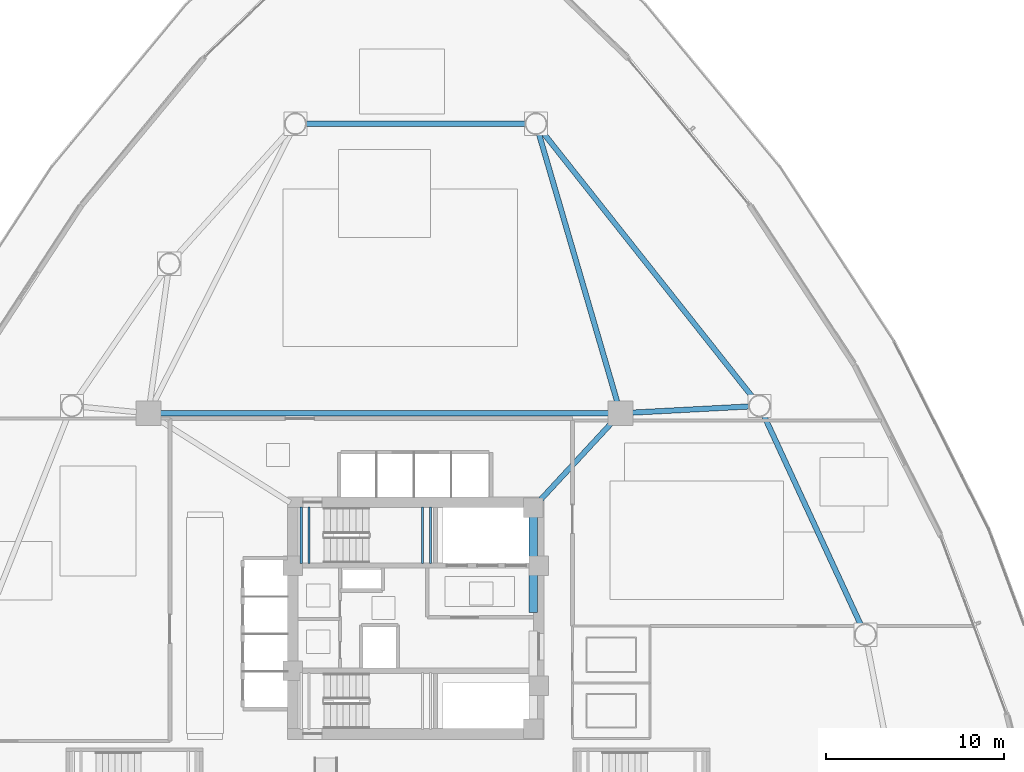
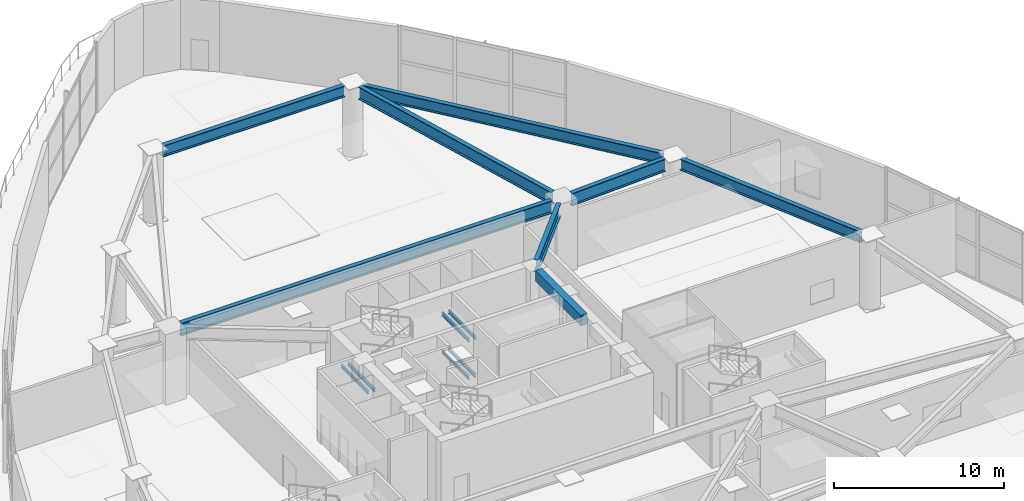
# One storey, part 7 of 25: 14 beams.
"""IFC4 building model written with IfcOpenShell, lengths in metres."""

from ifc_helpers import new_model, si_unit, direction, frame, origin, origin_2d, place, context, subcontext, project, spatial, rectangle, i_section, extrude, material, material_profile, profile_set, type_object, element, save


model = new_model("IFC4")

# Units and contexts
model_context = context("Model", 3, precision=1e-05, world=origin(), true_north=direction((0.0, 1.0)))
body_context = subcontext(model_context, "Body", "Model", "MODEL_VIEW")
ifc_project = project(units=[si_unit("LENGTHUNIT", "METRE"), si_unit("AREAUNIT", "SQUARE_METRE"), si_unit("VOLUMEUNIT", "CUBIC_METRE"), si_unit("PLANEANGLEUNIT", "RADIAN"), si_unit("MASSUNIT", "GRAM", prefix="KILO")], contexts=[model_context])

# Site, building, storey
site_placement = place(None, origin())
site = spatial("IfcSite", under=ifc_project, at=site_placement, CompositionType="ELEMENT")
building_placement = place(site_placement, origin())
building = spatial("IfcBuilding", under=site, at=building_placement, Name="Tavelor Broadcast Tower", CompositionType="ELEMENT")
storey_placement = place(building_placement, frame((0.0, 0.0, 11.39990234375)))
storey = spatial("IfcBuildingStorey", under=building, at=storey_placement, Name="L02", CompositionType="ELEMENT", Elevation=11.39990234375)

# Beams
ifc_material_1 = material(Name="Concrete C40/50", Category="concrete")
ifc_material_profile_1 = material_profile(ifc_material_1, rectangle(XDim=0.449951171875, YDim=0.75, at=origin_2d()), Name="RC 450x750")
ifc_profile_set_1 = profile_set([ifc_material_profile_1], Name="Concrete C40/50")
beam_type_1 = type_object("IfcBeamType", Name="Basement Core Trim Beam 450x750", PredefinedType="BEAM", material=ifc_profile_set_1)
beam_1_placement = place(storey_placement, frame((56.60009765625, 45.327880859375, 4.675048828125), z_axis=(0.0, 1.0, 0.0), x_axis=(-1.0, 0.0, 0.0)))
element("IfcBeam", 1, at=beam_1_placement, inside=storey, type_object=beam_type_1, Name="L02 Core East-N Tie Girder", PredefinedType="BEAM", context=body_context, shape_type="SweptSolid", body=[
    extrude(rectangle(XDim=0.449951171875, YDim=0.75, at=origin_2d()), origin(), (0.0, 0.0, 1.0), 5.34423828125),
])
ifc_material_2 = material(Name="Steel S355", Category="steel")
ifc_material_profile_2 = material_profile(ifc_material_2, i_section(OverallWidth=0.300048828125, OverallDepth=0.800048828125, WebThickness=0.017578125, FlangeThickness=0.032958984375, at=origin_2d()), Name="HEB 800")
ifc_profile_set_2 = profile_set([ifc_material_profile_2], Name="Steel S355")
beam_type_2 = type_object("IfcBeamType", Name="Podium Spandrel Beam HEB800", PredefinedType="SPANDREL", material=ifc_profile_set_2)
beam_2_placement = place(storey_placement, frame((74.997802734375, 44.596435546875, 4.650146484375), z_axis=(-0.419873312524, 0.90758272429, 0.0), x_axis=(-0.90758272429, -0.419873312524, 0.0)))
element("IfcBeam", 2, at=beam_2_placement, inside=storey, type_object=beam_type_2, Name="L02 Podium Spandrel Girder 10", PredefinedType="SPANDREL", context=body_context, shape_type="SweptSolid", body=[
    extrude(i_section(OverallWidth=0.300048828125, OverallDepth=0.800048828125, WebThickness=0.017578125, FlangeThickness=0.032958984375, at=origin_2d()), origin(), (0.0, 0.0, 1.0), 12.98876953125),
])
beam_3_placement = place(storey_placement, frame((68.940673828125, 57.36572265625, 4.650146484375), z_axis=(-0.620945854653, 0.783853459257, 0.0), x_axis=(-0.783853459257, -0.620945854653, 0.0)))
element("IfcBeam", 3, at=beam_3_placement, inside=storey, type_object=beam_type_2, Name="L02 Podium Spandrel Girder 11", PredefinedType="SPANDREL", context=body_context, shape_type="SweptSolid", body=[
    extrude(i_section(OverallWidth=0.300048828125, OverallDepth=0.800048828125, WebThickness=0.017578125, FlangeThickness=0.032958984375, at=origin_2d()), origin(), (0.0, 0.0, 1.0), 19.0478515625),
])
beam_4_placement = place(storey_placement, frame((56.1728515625, 72.7509765625, 4.650146484375), z_axis=(-1.0, 0.0, 0.0), x_axis=(0.0, -1.0, 0.0)))
element("IfcBeam", 4, at=beam_4_placement, inside=storey, type_object=beam_type_2, Name="L02 Podium Spandrel Girder 12", PredefinedType="SPANDREL", context=body_context, shape_type="SweptSolid", body=[
    extrude(i_section(OverallWidth=0.300048828125, OverallDepth=0.800048828125, WebThickness=0.017578125, FlangeThickness=0.032958984375, at=origin_2d()), origin(), (0.0, 0.0, 1.0), 12.345703125),
])
ifc_material_profile_3 = material_profile(ifc_material_2, i_section(OverallWidth=0.1201171875, OverallDepth=0.239990234375, WebThickness=0.006103515625, FlangeThickness=0.009765625, at=origin_2d()), Name="IPE 240")
ifc_profile_set_3 = profile_set([ifc_material_profile_3], Name="Steel S355")
beam_type_3 = type_object("IfcBeamType", Name="Stairwell Landing Support Trimmer Beam IPE240", PredefinedType="BEAM", material=ifc_profile_set_3)
for number, where, z_axis, x_axis, name in (
    (5, (50.385009765625, 48.06005859375, 1.03515625), (0.0, 1.0, 0.0), (-1.0, 0.0, 0.0), "L02 Stair Landing Support Beam 17"),
    (6, (50.824951171875, 48.06005859375, 1.03515625), (0.0, 1.0, 0.0), (-1.0, 0.0, 0.0), "L02 Stair Landing Support Beam 18"),
    (7, (43.574951171875, 48.06005859375, 2.385009765625), (0.0, 1.0, 0.0), (-1.0, 0.0, 0.0), "L02 Stair Landing Support Beam 19"),
    (8, (44.014892578125, 48.06005859375, 2.385009765625), (0.0, 1.0, 0.0), (-1.0, 0.0, 0.0), "L02 Stair Landing Support Beam 20"),
    (9, (50.385009765625, 48.06005859375, 3.735107421875), (0.0, 1.0, 0.0), (-1.0, 0.0, 0.0), "L02 Stair Landing Support Beam 21"),
    (10, (50.824951171875, 48.06005859375, 3.735107421875), (0.0, 1.0, 0.0), (-1.0, 0.0, 0.0), "L02 Stair Landing Support Beam 22"),
):
    element("IfcBeam", number, at=place(storey_placement, frame(where, z_axis=z_axis, x_axis=x_axis)), inside=storey, type_object=beam_type_3, Name=name, PredefinedType="BEAM", context=body_context, shape_type="SweptSolid", body=[
        extrude(i_section(OverallWidth=0.1201171875, OverallDepth=0.239990234375, WebThickness=0.006103515625, FlangeThickness=0.009765625, at=origin_2d()), origin(), (0.0, 0.0, 1.0), 3.179931640625),
    ])
ifc_material_3 = material(Name="Steel S460", Category="steel")
ifc_material_profile_4 = material_profile(ifc_material_3, i_section(OverallWidth=0.300048828125, OverallDepth=0.89990234375, WebThickness=0.0185546875, FlangeThickness=0.034912109375, at=origin_2d()), Name="HEB 900")
ifc_profile_set_4 = profile_set([ifc_material_profile_4], Name="Steel S460")
beam_type_4 = type_object("IfcBeamType", Name="Studio Long-Span Girder HEB900", PredefinedType="BEAM", material=ifc_profile_set_4)
beam_5_placement = place(storey_placement, frame((60.820068359375, 56.5, 4.60009765625), z_axis=(-1.0, 0.0, 0.0), x_axis=(0.0, -1.0, 0.0)))
element("IfcBeam", 11, at=beam_5_placement, inside=storey, type_object=beam_type_4, Name="L02 Studio Ring Girder 3", PredefinedType="BEAM", context=body_context, shape_type="SweptSolid", body=[
    extrude(i_section(OverallWidth=0.300048828125, OverallDepth=0.89990234375, WebThickness=0.0185546875, FlangeThickness=0.034912109375, at=origin_2d()), origin(), (0.0, 0.0, 1.0), 25.14013671875),
])
beam_6_placement = place(storey_placement, frame((61.038330078125, 56.000732421875, 4.60009765625), z_axis=(-0.678838365395, -0.734287732205, 0.0), x_axis=(0.734287732205, -0.678838365395, 0.0)))
element("IfcBeam", 12, at=beam_6_placement, inside=storey, type_object=beam_type_4, Name="L02 Core Tie Girder 3", PredefinedType="BEAM", context=body_context, shape_type="SweptSolid", body=[
    extrude(i_section(OverallWidth=0.300048828125, OverallDepth=0.89990234375, WebThickness=0.0185546875, FlangeThickness=0.034912109375, at=origin_2d()), origin(), (0.0, 0.0, 1.0), 6.010009765625),
])
beam_7_placement = place(storey_placement, frame((62.17919921875, 56.535888671875, 4.60009765625), z_axis=(0.998614739388, 0.052617509218, 0.0), x_axis=(-0.052617509218, 0.998614739388, 0.0)))
element("IfcBeam", 13, at=beam_7_placement, inside=storey, type_object=beam_type_4, Name="L02 Clear-Span Studio Girder 11", PredefinedType="BEAM", context=body_context, shape_type="SweptSolid", body=[
    extrude(i_section(OverallWidth=0.300048828125, OverallDepth=0.89990234375, WebThickness=0.0185546875, FlangeThickness=0.034912109375, at=origin_2d()), origin(), (0.0, 0.0, 1.0), 6.551513671875),
])
beam_8_placement = place(storey_placement, frame((61.309326171875, 57.152587890625, 4.60009765625), z_axis=(-0.280403801571, 0.959882132381, 0.0), x_axis=(-0.959882132381, -0.280403801571, 0.0)))
element("IfcBeam", 14, at=beam_8_placement, inside=storey, type_object=beam_type_4, Name="L02 Clear-Span Studio Girder 12", PredefinedType="BEAM", context=body_context, shape_type="SweptSolid", body=[
    extrude(i_section(OverallWidth=0.300048828125, OverallDepth=0.89990234375, WebThickness=0.0185546875, FlangeThickness=0.034912109375, at=origin_2d()), origin(), (0.0, 0.0, 1.0), 15.67041015625),
])

save(model, "model.ifc")
